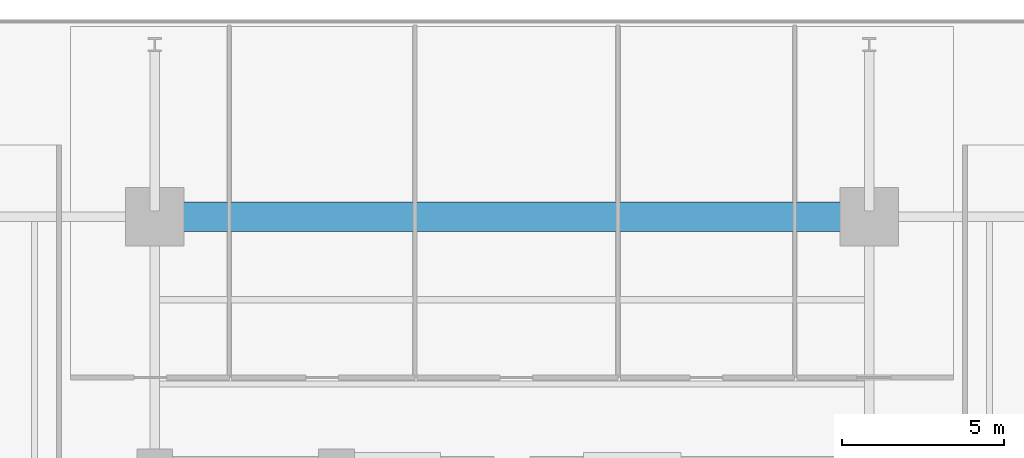
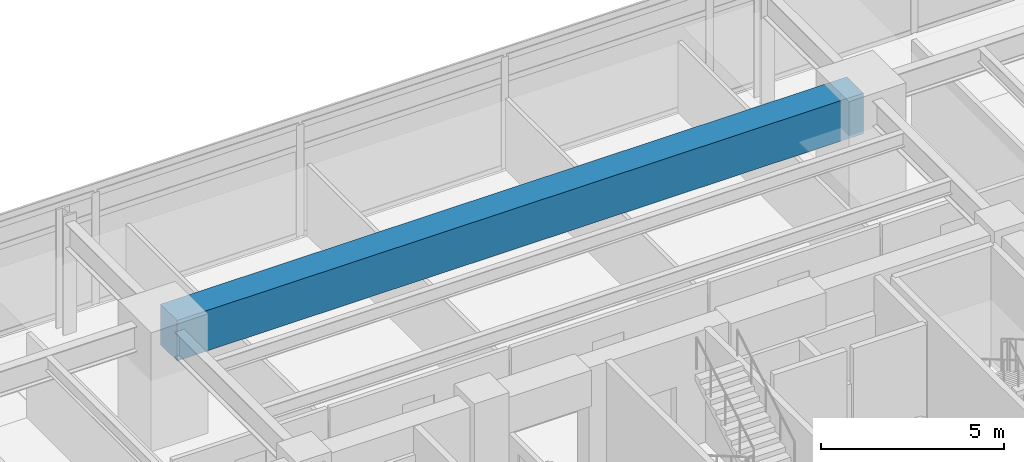
# One storey, part 10 of 24: 1 beam.
"""IFC4 building model written with IfcOpenShell, lengths in metres."""

from ifc_helpers import new_model, si_unit, direction, frame, origin, origin_2d, place, context, subcontext, project, spatial, rectangle, extrude, material, material_profile, profile_set, type_object, element, save


model = new_model("IFC4")

# Units and contexts
model_context = context("Model", 3, precision=1e-05, world=origin(), true_north=direction((0.0, 1.0)))
body_context = subcontext(model_context, "Body", "Model", "MODEL_VIEW")
ifc_project = project(units=[si_unit("LENGTHUNIT", "METRE"), si_unit("AREAUNIT", "SQUARE_METRE"), si_unit("VOLUMEUNIT", "CUBIC_METRE"), si_unit("PLANEANGLEUNIT", "RADIAN"), si_unit("MASSUNIT", "GRAM", prefix="KILO")], contexts=[model_context])

# Site, building, storey
site_placement = place(None, origin())
site = spatial("IfcSite", under=ifc_project, at=site_placement, CompositionType="ELEMENT")
building_placement = place(site_placement, origin())
building = spatial("IfcBuilding", under=site, at=building_placement, Name="Kovane Verandah Tower", CompositionType="ELEMENT")
storey_placement = place(building_placement, frame((0.0, 0.0, 95.60009765625)))
storey = spatial("IfcBuildingStorey", under=building, at=storey_placement, Name="L22", CompositionType="ELEMENT", Elevation=95.60009765625)

# Beam
ifc_material = material(Name="Concrete C80/95", Category="concrete")
ifc_material_profile = material_profile(ifc_material, rectangle(XDim=0.89990234375, YDim=1.35009765625, at=origin_2d()), Name="RCB900x1350")
ifc_profile_set = profile_set([ifc_material_profile], Name="Concrete C80/95")
beam_type = type_object("IfcBeamType", Name="BM-TR-900x1350", PredefinedType="BEAM", material=ifc_profile_set)
beam_placement = place(storey_placement, frame((29.179931640625, 44.199951171875, 3.0849609375), z_axis=(1.0, 0.0, 0.0), x_axis=(0.0, 1.0, 0.0)))
element("IfcBeam", 1, at=beam_placement, inside=storey, type_object=beam_type, Name="L22 Primary Tower Girder G-RN2", PredefinedType="BEAM", context=body_context, shape_type="SweptSolid", body=[
    extrude(rectangle(XDim=0.89990234375, YDim=1.35009765625, at=origin_2d()), origin(), (0.0, 0.0, 1.0), 21.64013671875),
])

save(model, "model.ifc")
